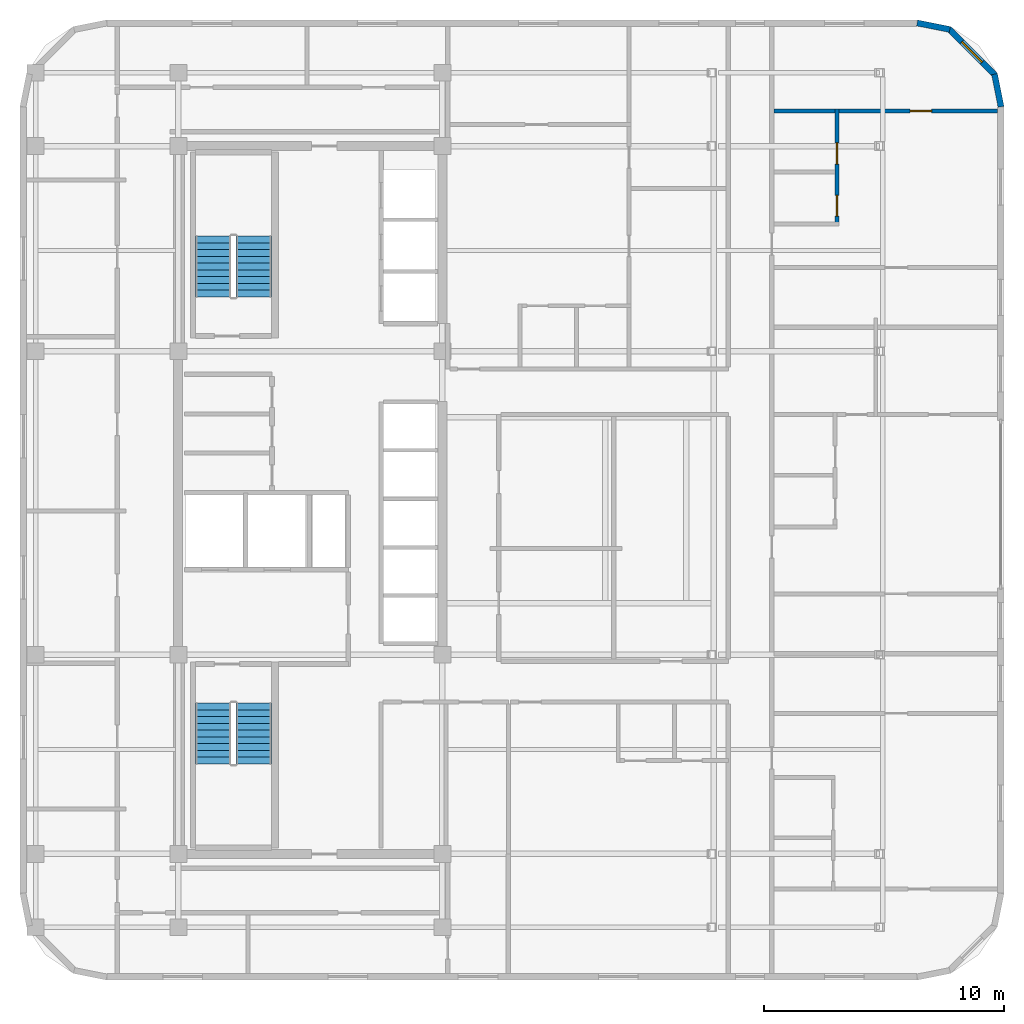
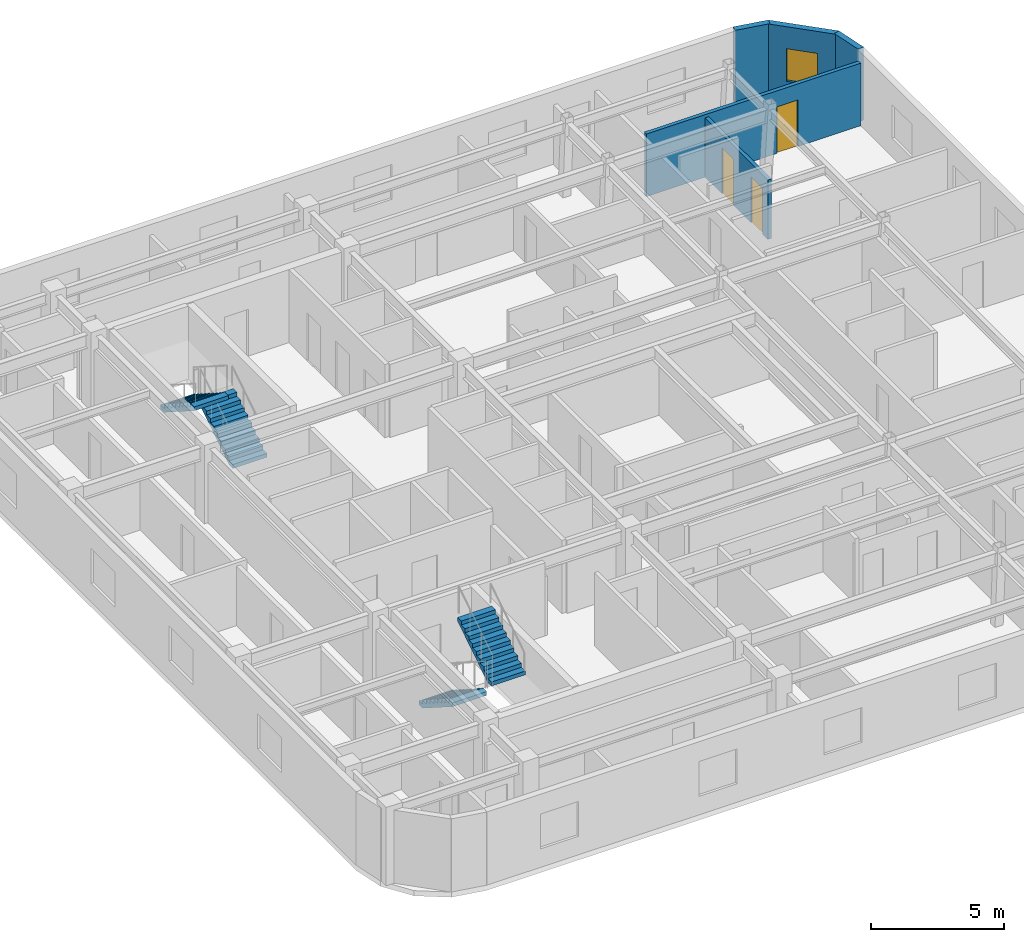
# One storey, part 8 of 9: 5 walls, 4 stair flights, 3 doors, 1 window, 4 openings, 2 elements without a shape of their own.
"""IFC4 building model written with IfcOpenShell, lengths in metres."""

from ifc_helpers import new_model, si_unit, direction, frame, frame_2d, origin, place, context, subcontext, project, spatial, polyline, rectangle, outline, extrude, material, layer, layer_set, type_object, element, fill, aggregate, save


model = new_model("IFC4")

# Units and contexts
model_context = context("Model", 3, precision=1e-05, world=origin(), true_north=direction((0.0, 1.0)))
body_context = subcontext(model_context, "Body", "Model", "MODEL_VIEW")
ifc_project = project(units=[si_unit("LENGTHUNIT", "METRE"), si_unit("AREAUNIT", "SQUARE_METRE"), si_unit("VOLUMEUNIT", "CUBIC_METRE"), si_unit("PLANEANGLEUNIT", "RADIAN"), si_unit("MASSUNIT", "GRAM", prefix="KILO")], contexts=[model_context])

# Site, building, storey
site_placement = place(None, origin())
site = spatial("IfcSite", under=ifc_project, at=site_placement, CompositionType="ELEMENT")
building_placement = place(site_placement, origin())
building = spatial("IfcBuilding", under=site, at=building_placement, Name="Ochreholt Gables", CompositionType="ELEMENT")
storey_placement = place(building_placement, frame((0.0, 0.0, 184.800048828125)))
storey = spatial("IfcBuildingStorey", under=building, at=storey_placement, Name="L48", CompositionType="ELEMENT", Elevation=184.800048828125)

# Wall
ifc_material_1 = material(Name="Precast concrete 40 MPa", Category="concrete")
ifc_layer_1 = layer(ifc_material_1, 0.25, Name="Precast concrete 40 MPa")
ifc_layer_set_1 = layer_set([ifc_layer_1], Name="Precast concrete 40 MPa")
wall_type_1 = type_object("IfcWallType", Name="WALL-EXT-CNR", PredefinedType="SOLIDWALL", material=ifc_layer_set_1)
wall_1_placement = place(storey_placement, frame((58.475830078125, 40.383544921875, 0.0), z_axis=(0.0, 0.0, 1.0), x_axis=(-0.19496651342, 0.980809899341, 0.0)))
element("IfcWall", 1, at=wall_1_placement, inside=storey, type_object=wall_type_1, Name="L48 Rounded Corner Wall NE-1", PredefinedType="SOLIDWALL", context=body_context, shape_type="SweptSolid", body=[
    extrude(rectangle(XDim=1.388671875, YDim=0.25, at=frame_2d((0.6943359375, 0.0))), origin(), (0.0, 0.0, 1.0), 3.35986328125),
])

# Wall, opening, window
wall_2_placement = place(storey_placement, frame((58.23193359375, 41.695068359375, 0.0), z_axis=(0.0, 0.0, 1.0), x_axis=(-0.707106781187, 0.707106781187, 0.0)))
wall_2 = element("IfcWall", 2, at=wall_2_placement, inside=storey, type_object=wall_type_1, Name="L48 Rounded Corner Wall NE-2", PredefinedType="SOLIDWALL", context=body_context, shape_type="SweptSolid", body=[
    extrude(rectangle(XDim=2.7392578125, YDim=0.25, at=frame_2d((1.36962890625, 0.0))), origin(), (0.0, 0.0, 1.0), 3.35986328125),
])
opening_1_placement = place(wall_2_placement, frame((0.769775390625, 0.0, 0.85009765625)))
opening_1 = element("IfcOpeningElement", 3, at=opening_1_placement, cuts=wall_2, Name="Opening WN-3", PredefinedType="OPENING", context=body_context, shape_type="SweptSolid", body=[
    extrude(rectangle(XDim=1.199951171875, YDim=1.5, at=frame_2d((0.60009765625, 0.75))), frame((0.0, 0.135009765625, 0.0), z_axis=(0.0, -1.0, 0.0), x_axis=(1.0, 0.0, 0.0)), (0.0, 0.0, 1.0), 0.27001953125),
])
ifc_material_2 = material(Name="Triple-Glazed Thermally Broken Aluminium Window", Category="aluminium")
window_type = type_object("IfcWindowType", Name="WIN-RES-1200", PartitioningType="SINGLE_PANEL", PredefinedType="WINDOW", material=ifc_material_2)
window_placement = place(opening_1_placement, origin())
window = element("IfcWindow", 4, at=window_placement, inside=storey, type_object=window_type, Name="L48 Corner Bedroom Window NE", OverallHeight=1.5, OverallWidth=1.199951171875, PartitioningType="SINGLE_PANEL", PredefinedType="WINDOW", context=body_context, shape_type="SweptSolid", body=[
    extrude(rectangle(XDim=1.199951171875, YDim=1.5, at=frame_2d((0.60009765625, 0.75))), frame((0.0, 0.030029296875, 0.0), z_axis=(0.0, -1.0, 0.0), x_axis=(1.0, 0.0, 0.0)), (0.0, 0.0, 1.0), 0.06005859375),
])
fill(opening_1, window)

# Wall
wall_3_placement = place(storey_placement, frame((56.345458984375, 43.60498046875, 0.0), z_axis=(0.0, 0.0, 1.0), x_axis=(-0.980809899341, 0.19496651342, 0.0)))
element("IfcWall", 5, at=wall_3_placement, inside=storey, type_object=wall_type_1, Name="L48 Rounded Corner Wall NE-3", PredefinedType="SOLIDWALL", context=body_context, shape_type="SweptSolid", body=[
    extrude(rectangle(XDim=1.388671875, YDim=0.25, at=frame_2d((0.6943359375, 0.0))), origin(), (0.0, 0.0, 1.0), 3.35986328125),
])

# Wall, openings, doors
ifc_material_3 = material(Name="Moisture-Resistant Plumbing Chase Wall", Category="gypsum")
ifc_layer_2 = layer(ifc_material_3, 0.159912109375, Name="Moisture-Resistant Plumbing Chase Wall")
ifc_layer_set_2 = layer_set([ifc_layer_2], Name="Moisture-Resistant Plumbing Chase Wall")
wall_type_2 = type_object("IfcWallType", Name="WALL-INT-PL160", PredefinedType="PLUMBINGWALL", material=ifc_layer_set_2)
wall_4_placement = place(storey_placement, frame((51.638916015625, 35.4130859375, 0.0), z_axis=(0.0, 0.0, 1.0), x_axis=(0.0, 1.0, 0.0)))
wall_4 = element("IfcWall", 6, at=wall_4_placement, inside=storey, type_object=wall_type_2, Name="L48 Interior Wall WU-L48FE3-WX", PredefinedType="PLUMBINGWALL", context=body_context, shape_type="SweptSolid", body=[
    extrude(rectangle(XDim=4.886962890625, YDim=0.159912109375, at=frame_2d((2.443359375, 0.0))), origin(), (0.0, 0.0, 1.0), 2.72998046875),
])
opening_2_placement = place(wall_4_placement, frame((0.419921875, 0.0, 0.0)))
opening_2 = element("IfcOpeningElement", 7, at=opening_2_placement, cuts=wall_4, Name="Opening D-BT1", PredefinedType="OPENING", context=body_context, shape_type="SweptSolid", body=[
    extrude(rectangle(XDim=0.860107421875, YDim=2.1201171875, at=frame_2d((0.43017578125, 1.06005859375))), frame((0.0, 0.08984375, 0.0), z_axis=(0.0, -1.0, 0.0), x_axis=(1.0, 0.0, 0.0)), (0.0, 0.0, 1.0), 0.179931640625),
])
opening_3_placement = place(wall_4_placement, frame((2.585205078125, 0.0, 0.0)))
opening_3 = element("IfcOpeningElement", 8, at=opening_3_placement, cuts=wall_4, Name="Opening D-GN2", PredefinedType="OPENING", context=body_context, shape_type="SweptSolid", body=[
    extrude(rectangle(XDim=0.8798828125, YDim=2.1201171875, at=frame_2d((0.43994140625, 1.06005859375))), frame((0.0, 0.08984375, 0.0), z_axis=(0.0, -1.0, 0.0), x_axis=(1.0, 0.0, 0.0)), (0.0, 0.0, 1.0), 0.179931640625),
])
ifc_material_4 = material(Name="Engineered Oak Timber", Category="wood")
door_type_1 = type_object("IfcDoorType", Name="DR-INT-BTH860", OperationType="NOTDEFINED", PredefinedType="DOOR", material=ifc_material_4)
door_1_placement = place(opening_2_placement, origin())
door_1 = element("IfcDoor", 9, at=door_1_placement, inside=storey, type_object=door_type_1, Name="L48 Door D-U-L48FE3-BTH", OperationType="SINGLE_SWING_LEFT", OverallHeight=2.1201171875, OverallWidth=0.860107421875, PredefinedType="DOOR", context=body_context, shape_type="SweptSolid", body=[
    extrude(rectangle(XDim=0.860107421875, YDim=2.1201171875, at=frame_2d((0.43017578125, 1.06005859375))), frame((0.0, 0.02490234375, 0.0), z_axis=(0.0, -1.0, 0.0), x_axis=(1.0, 0.0, 0.0)), (0.0, 0.0, 1.0), 0.050048828125),
])
fill(opening_2, door_1)
door_type_2 = type_object("IfcDoorType", Name="DR-INT-GEN880", OperationType="NOTDEFINED", PredefinedType="DOOR", material=ifc_material_4)
door_2_placement = place(opening_3_placement, origin())
door_2 = element("IfcDoor", 10, at=door_2_placement, inside=storey, type_object=door_type_2, Name="L48 Door D-U-L48FE3-KIT", OperationType="SINGLE_SWING_RIGHT", OverallHeight=2.1201171875, OverallWidth=0.8798828125, PredefinedType="DOOR", context=body_context, shape_type="SweptSolid", body=[
    extrude(rectangle(XDim=0.8798828125, YDim=2.1201171875, at=frame_2d((0.43994140625, 1.06005859375))), frame((0.0, 0.02490234375, 0.0), z_axis=(0.0, -1.0, 0.0), x_axis=(1.0, 0.0, 0.0)), (0.0, 0.0, 1.0), 0.050048828125),
])
fill(opening_3, door_2)

# Wall, opening, door
ifc_material_5 = material(Name="Gypsum Acoustic Stud Partition", Category="gypsum")
ifc_layer_3 = layer(ifc_material_5, 0.1650390625, Name="Gypsum Acoustic Stud Partition")
ifc_layer_set_3 = layer_set([ifc_layer_3], Name="Gypsum Acoustic Stud Partition")
wall_type_3 = type_object("IfcWallType", Name="WALL-INT-PT165", PredefinedType="PARTITIONING", material=ifc_layer_set_3)
wall_5_placement = place(storey_placement, frame((49.007080078125, 40.2099609375, 0.0), z_axis=(0.0, 0.0, 1.0), x_axis=(1.0, 0.0, 0.0)))
wall_5 = element("IfcWall", 11, at=wall_5_placement, inside=storey, type_object=wall_type_3, Name="L48 Interior Wall WU-L48FE3-MN", PredefinedType="PARTITIONING", context=body_context, shape_type="SweptSolid", body=[
    extrude(rectangle(XDim=9.31298828125, YDim=0.1650390625, at=frame_2d((4.656494140625, 0.0))), origin(), (0.0, 0.0, 1.0), 2.87890625),
])
opening_4_placement = place(wall_5_placement, frame((5.677490234375, 0.0, 0.0)))
opening_4 = element("IfcOpeningElement", 12, at=opening_4_placement, cuts=wall_5, Name="Opening D-BD1", PredefinedType="OPENING", context=body_context, shape_type="SweptSolid", body=[
    extrude(rectangle(XDim=0.89990234375, YDim=2.139892578125, at=frame_2d((0.449951171875, 1.06982421875))), frame((0.0, 0.092529296875, 0.0), z_axis=(0.0, -1.0, 0.0), x_axis=(1.0, 0.0, 0.0)), (0.0, 0.0, 1.0), 0.18505859375),
])
door_type_3 = type_object("IfcDoorType", Name="DR-INT-BED900", OperationType="NOTDEFINED", PredefinedType="DOOR", material=ifc_material_4)
door_3_placement = place(opening_4_placement, origin())
door_3 = element("IfcDoor", 13, at=door_3_placement, inside=storey, type_object=door_type_3, Name="L48 Door D-U-L48FE3-BD1", OperationType="SINGLE_SWING_LEFT", OverallHeight=2.139892578125, OverallWidth=0.89990234375, PredefinedType="DOOR", context=body_context, shape_type="SweptSolid", body=[
    extrude(rectangle(XDim=0.89990234375, YDim=2.139892578125, at=frame_2d((0.449951171875, 1.06982421875))), frame((0.0, 0.02490234375, 0.0), z_axis=(0.0, -1.0, 0.0), x_axis=(1.0, 0.0, 0.0)), (0.0, 0.0, 1.0), 0.050048828125),
])
fill(opening_4, door_3)

# Stair, stair flights
ifc_material_6 = material(Name="Concrete 40 MPa", Category="concrete")
stair_type_1 = type_object("IfcStairType", Name="STAIR-CORE-ST-1", PredefinedType="HALF_TURN_STAIR", material=ifc_material_6)
stair_1_placement = place(storey_placement, origin())
stair_1 = element("IfcStair", 14, at=stair_1_placement, inside=storey, type_object=stair_type_1, Name="L48 Core Exit Stair 1", PredefinedType="HALF_TURN_STAIR")
stair_flight_type = type_object("IfcStairFlightType", Name="FLIGHT-ST-1480-1800", PredefinedType="STRAIGHT", material=ifc_material_6)
stair_flight_1_placement = place(storey_placement, frame((25.659912109375, 15.5400390625, 0.0), z_axis=(0.0, 0.0, 1.0), x_axis=(0.0, -1.0, 0.0)))
stair_flight_1 = element("IfcStairFlight", 15, at=stair_flight_1_placement, type_object=stair_flight_type, Name="ST-1 flight 1", NumberOfRisers=10, NumberOfTreads=9, PredefinedType="STRAIGHT", RiserHeight=0.18, TreadLength=0.282, context=body_context, shape_type="SweptSolid", body=[
    extrude(outline(polyline([(0.0, 0.0), (0.0, 0.179931640625), (0.281982421875, 0.179931640625), (0.281982421875, 0.360107421875), (0.56396484375, 0.360107421875), (0.56396484375, 0.5400390625), (0.845947265625, 0.5400390625), (0.845947265625, 0.719970703125), (1.1279296875, 0.719970703125), (1.1279296875, 0.89990234375), (1.409912109375, 0.89990234375), (1.409912109375, 1.080078125), (1.69189453125, 1.080078125), (1.69189453125, 1.260009765625), (1.97412109375, 1.260009765625), (1.97412109375, 1.43994140625), (2.256103515625, 1.43994140625), (2.256103515625, 1.6201171875), (2.5380859375, 1.6201171875), (2.5380859375, 1.800048828125), (2.5380859375, 1.442138671875), (0.278564453125, 0.0), (0.0, 0.0)])), frame((0.0, 0.739990234375, 0.0), z_axis=(0.0, -1.0, 0.0), x_axis=(1.0, 0.0, 0.0)), (0.0, 0.0, 1.0), 1.47998046875),
])
stair_flight_2_placement = place(storey_placement, frame((27.340087890625, 13.001953125, 1.800048828125), z_axis=(0.0, 0.0, 1.0), x_axis=(0.0, 1.0, 0.0)))
stair_flight_2 = element("IfcStairFlight", 16, at=stair_flight_2_placement, type_object=stair_flight_type, Name="ST-1 flight 2", NumberOfRisers=10, NumberOfTreads=9, PredefinedType="STRAIGHT", RiserHeight=0.18, TreadLength=0.282, context=body_context, shape_type="SweptSolid", body=[
    extrude(outline(polyline([(0.0, 0.0), (0.0, 0.179931640625), (0.281982421875, 0.179931640625), (0.281982421875, 0.360107421875), (0.56396484375, 0.360107421875), (0.56396484375, 0.5400390625), (0.845947265625, 0.5400390625), (0.845947265625, 0.719970703125), (1.1279296875, 0.719970703125), (1.1279296875, 0.89990234375), (1.409912109375, 0.89990234375), (1.409912109375, 1.080078125), (1.69189453125, 1.080078125), (1.69189453125, 1.260009765625), (1.97412109375, 1.260009765625), (1.97412109375, 1.43994140625), (2.256103515625, 1.43994140625), (2.256103515625, 1.6201171875), (2.5380859375, 1.6201171875), (2.5380859375, 1.800048828125), (2.5380859375, 1.442138671875), (0.278564453125, 0.0), (0.0, 0.0)])), frame((0.0, 0.739990234375, 0.0), z_axis=(0.0, -1.0, 0.0), x_axis=(1.0, 0.0, 0.0)), (0.0, 0.0, 1.0), 1.47998046875),
])
aggregate(stair_1, [stair_flight_1, stair_flight_2])

stair_type_2 = type_object("IfcStairType", Name="STAIR-CORE-ST-2", PredefinedType="HALF_TURN_STAIR", material=ifc_material_6)
stair_2_placement = place(storey_placement, origin())
stair_2 = element("IfcStair", 17, at=stair_2_placement, inside=storey, type_object=stair_type_2, Name="L48 Core Exit Stair 2", PredefinedType="HALF_TURN_STAIR")
stair_flight_3_placement = place(storey_placement, frame((27.340087890625, 32.4599609375, 0.0), z_axis=(0.0, 0.0, 1.0), x_axis=(0.0, 1.0, 0.0)))
stair_flight_3 = element("IfcStairFlight", 18, at=stair_flight_3_placement, type_object=stair_flight_type, Name="ST-2 flight 1", NumberOfRisers=10, NumberOfTreads=9, PredefinedType="STRAIGHT", RiserHeight=0.18, TreadLength=0.282, context=body_context, shape_type="SweptSolid", body=[
    extrude(outline(polyline([(0.0, 0.0), (0.0, 0.179931640625), (0.281982421875, 0.179931640625), (0.281982421875, 0.360107421875), (0.56396484375, 0.360107421875), (0.56396484375, 0.5400390625), (0.845947265625, 0.5400390625), (0.845947265625, 0.719970703125), (1.1279296875, 0.719970703125), (1.1279296875, 0.89990234375), (1.409912109375, 0.89990234375), (1.409912109375, 1.080078125), (1.69189453125, 1.080078125), (1.69189453125, 1.260009765625), (1.97412109375, 1.260009765625), (1.97412109375, 1.43994140625), (2.256103515625, 1.43994140625), (2.256103515625, 1.6201171875), (2.5380859375, 1.6201171875), (2.5380859375, 1.800048828125), (2.5380859375, 1.442138671875), (0.278564453125, 0.0), (0.0, 0.0)])), frame((0.0, 0.739990234375, 0.0), z_axis=(0.0, -1.0, 0.0), x_axis=(1.0, 0.0, 0.0)), (0.0, 0.0, 1.0), 1.47998046875),
])
stair_flight_4_placement = place(storey_placement, frame((25.659912109375, 34.998046875, 1.800048828125), z_axis=(0.0, 0.0, 1.0), x_axis=(0.0, -1.0, 0.0)))
stair_flight_4 = element("IfcStairFlight", 19, at=stair_flight_4_placement, type_object=stair_flight_type, Name="ST-2 flight 2", NumberOfRisers=10, NumberOfTreads=9, PredefinedType="STRAIGHT", RiserHeight=0.18, TreadLength=0.282, context=body_context, shape_type="SweptSolid", body=[
    extrude(outline(polyline([(0.0, 0.0), (0.0, 0.179931640625), (0.281982421875, 0.179931640625), (0.281982421875, 0.360107421875), (0.56396484375, 0.360107421875), (0.56396484375, 0.5400390625), (0.845947265625, 0.5400390625), (0.845947265625, 0.719970703125), (1.1279296875, 0.719970703125), (1.1279296875, 0.89990234375), (1.409912109375, 0.89990234375), (1.409912109375, 1.080078125), (1.69189453125, 1.080078125), (1.69189453125, 1.260009765625), (1.97412109375, 1.260009765625), (1.97412109375, 1.43994140625), (2.256103515625, 1.43994140625), (2.256103515625, 1.6201171875), (2.5380859375, 1.6201171875), (2.5380859375, 1.800048828125), (2.5380859375, 1.442138671875), (0.278564453125, 0.0), (0.0, 0.0)])), frame((0.0, 0.739990234375, 0.0), z_axis=(0.0, -1.0, 0.0), x_axis=(1.0, 0.0, 0.0)), (0.0, 0.0, 1.0), 1.47998046875),
])
aggregate(stair_2, [stair_flight_3, stair_flight_4])

save(model, "model.ifc")
